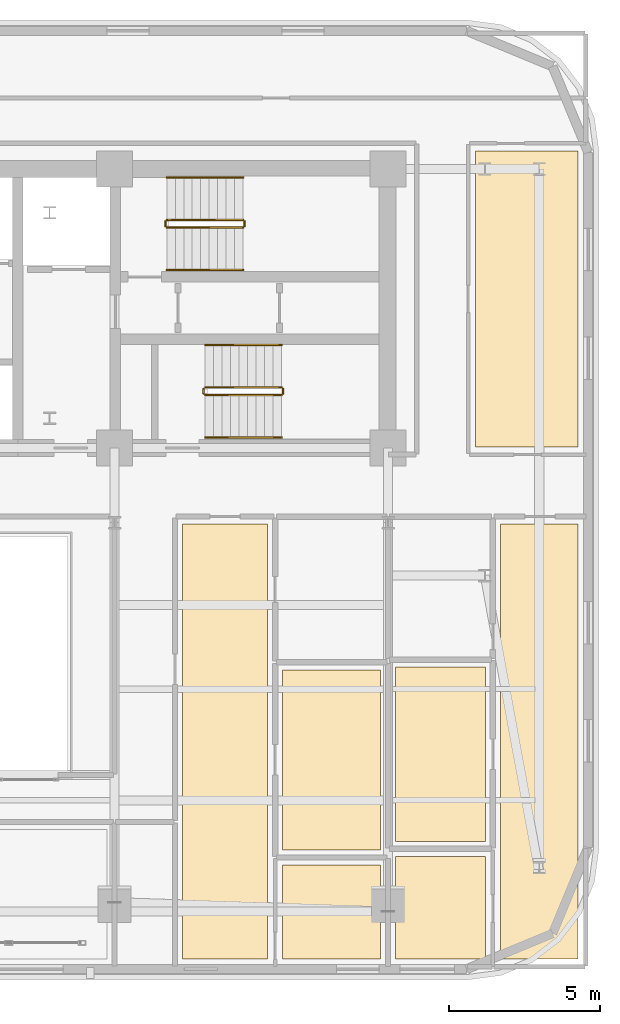
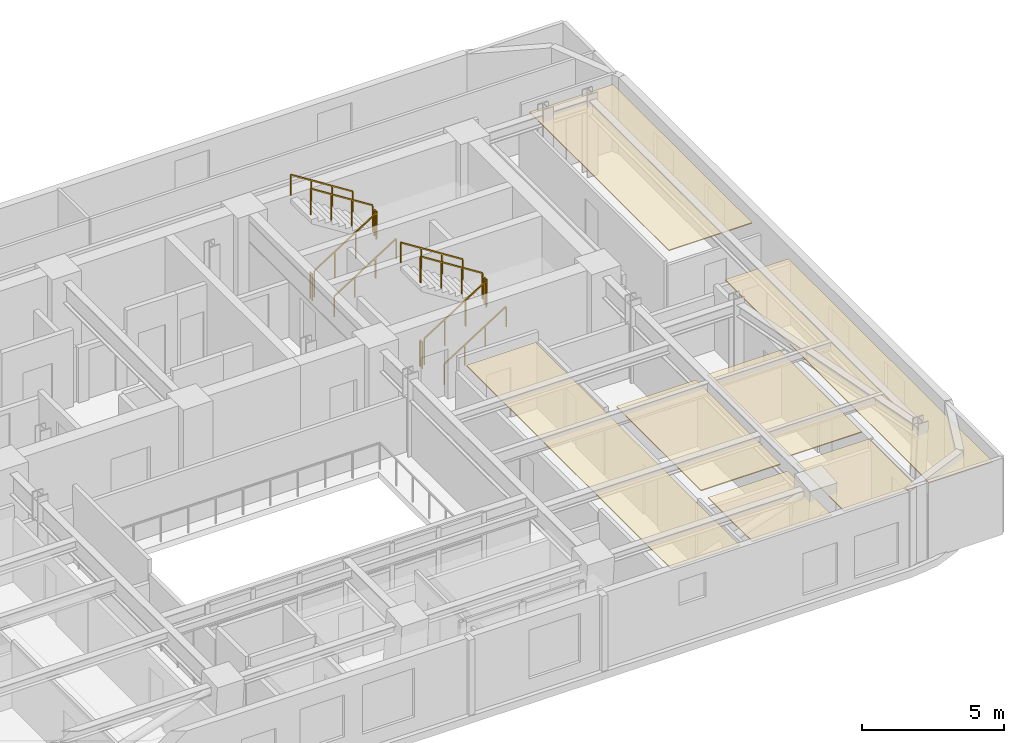
# One storey, part 13 of 13: 12 railings, 7 coverings.
"""IFC4 building model written with IfcOpenShell, lengths in metres."""

from ifc_helpers import new_model, si_unit, direction, frame, origin, origin_2d, place, context, subcontext, project, spatial, polyline, rectangle, outline, extrude, material, layer, layer_set, type_object, element, save


model = new_model("IFC4")

# Units and contexts
model_context = context("Model", 3, precision=1e-05, world=origin(), true_north=direction((0.0, 1.0)))
body_context = subcontext(model_context, "Body", "Model", "MODEL_VIEW")
ifc_project = project(units=[si_unit("LENGTHUNIT", "METRE"), si_unit("AREAUNIT", "SQUARE_METRE"), si_unit("VOLUMEUNIT", "CUBIC_METRE"), si_unit("PLANEANGLEUNIT", "RADIAN"), si_unit("MASSUNIT", "GRAM", prefix="KILO")], contexts=[model_context])

# Site, building, storey
site_placement = place(None, origin())
site = spatial("IfcSite", under=ifc_project, at=site_placement, CompositionType="ELEMENT")
building_placement = place(site_placement, origin())
building = spatial("IfcBuilding", under=site, at=building_placement, Name="Zarnavel Station Tower", CompositionType="ELEMENT")
storey_placement = place(building_placement, frame((0.0, 0.0, 148.35009765625)))
storey = spatial("IfcBuildingStorey", under=building, at=storey_placement, Name="L40", CompositionType="ELEMENT", Elevation=148.35009765625)

# Coverings
ifc_material_1 = material(Name="Perforated Gypsum and Mineral-Wool Acoustic Ceiling", Category="concrete")
ifc_layer = layer(ifc_material_1, 0.0400390625)
ifc_layer_set = layer_set([ifc_layer], Name="COV_CEIL_ACOUSTIC")
covering_type = type_object("IfcCoveringType", Name="COV_CEIL_ACOUSTIC", PredefinedType="CEILING", material=ifc_layer_set)
covering_1_placement = place(storey_placement, frame((0.0, 0.0, 2.969970703125)))
element("IfcCovering", 1, at=covering_1_placement, inside=storey, type_object=covering_type, Name="L40 FNE Acoustic Ceiling", PredefinedType="CEILING", context=body_context, shape_type="SweptSolid", body=[
    extrude(outline(polyline([(48.300048828125, 27.85009765625), (51.68994140625, 27.85009765625), (51.68994140625, 37.64990234375), (48.300048828125, 37.64990234375), (48.300048828125, 27.85009765625)])), origin(), (0.0, 0.0, 1.0), 0.0400390625),
])
covering_2_placement = place(storey_placement, frame((0.0, 0.0, 2.969970703125)))
element("IfcCovering", 2, at=covering_2_placement, inside=storey, type_object=covering_type, Name="L40 UE1LV Acoustic Ceiling", PredefinedType="CEILING", context=body_context, shape_type="SweptSolid", body=[
    extrude(outline(polyline([(38.60009765625, 10.909912109375), (41.4130859375, 10.909912109375), (41.4130859375, 25.300048828125), (38.60009765625, 25.300048828125), (38.60009765625, 10.909912109375)])), origin(), (0.0, 0.0, 1.0), 0.0400390625),
])
covering_3_placement = place(storey_placement, frame((0.0, 0.0, 2.969970703125)))
element("IfcCovering", 3, at=covering_3_placement, inside=storey, type_object=covering_type, Name="L40 UE1B1 Acoustic Ceiling", PredefinedType="CEILING", context=body_context, shape_type="SweptSolid", body=[
    extrude(outline(polyline([(41.9130859375, 10.909912109375), (45.14990234375, 10.909912109375), (45.14990234375, 14.02294921875), (41.9130859375, 14.02294921875), (41.9130859375, 10.909912109375)])), origin(), (0.0, 0.0, 1.0), 0.0400390625),
])
covering_4_placement = place(storey_placement, frame((0.0, 0.0, 2.969970703125)))
element("IfcCovering", 4, at=covering_4_placement, inside=storey, type_object=covering_type, Name="L40 UE1KT Acoustic Ceiling", PredefinedType="CEILING", context=body_context, shape_type="SweptSolid", body=[
    extrude(outline(polyline([(41.9130859375, 14.52294921875), (45.14990234375, 14.52294921875), (45.14990234375, 20.48291015625), (41.9130859375, 20.48291015625), (41.9130859375, 14.52294921875)])), origin(), (0.0, 0.0, 1.0), 0.0400390625),
])
covering_5_placement = place(storey_placement, frame((0.0, 0.0, 2.969970703125)))
element("IfcCovering", 5, at=covering_5_placement, inside=storey, type_object=covering_type, Name="L40 UE2LV Acoustic Ceiling", PredefinedType="CEILING", context=body_context, shape_type="SweptSolid", body=[
    extrude(outline(polyline([(49.115966796875, 10.909912109375), (51.68994140625, 10.909912109375), (51.68994140625, 25.300048828125), (49.115966796875, 25.300048828125), (49.115966796875, 10.909912109375)])), origin(), (0.0, 0.0, 1.0), 0.0400390625),
])
covering_6_placement = place(storey_placement, frame((0.0, 0.0, 2.969970703125)))
element("IfcCovering", 6, at=covering_6_placement, inside=storey, type_object=covering_type, Name="L40 UE2B1 Acoustic Ceiling", PredefinedType="CEILING", context=body_context, shape_type="SweptSolid", body=[
    extrude(outline(polyline([(45.64990234375, 10.909912109375), (48.615966796875, 10.909912109375), (48.615966796875, 14.304931640625), (45.64990234375, 14.304931640625), (45.64990234375, 10.909912109375)])), origin(), (0.0, 0.0, 1.0), 0.0400390625),
])
covering_7_placement = place(storey_placement, frame((0.0, 0.0, 2.969970703125)))
element("IfcCovering", 7, at=covering_7_placement, inside=storey, type_object=covering_type, Name="L40 UE2KT Acoustic Ceiling", PredefinedType="CEILING", context=body_context, shape_type="SweptSolid", body=[
    extrude(outline(polyline([(45.64990234375, 14.804931640625), (48.615966796875, 14.804931640625), (48.615966796875, 20.572021484375), (45.64990234375, 20.572021484375), (45.64990234375, 14.804931640625)])), origin(), (0.0, 0.0, 1.0), 0.0400390625),
])

# Railings
ifc_material_2 = material(Name="Painted Steel S355J2 Balustrade", Category="steel")
railing_type_1 = type_object("IfcRailingType", Name="GR_INT_1150", PredefinedType="GUARDRAIL", material=ifc_material_2)
railing_1_placement = place(storey_placement, frame((38.080078125, 35.110107421875, 0.177490234375)))
element("IfcRailing", 8, at=railing_1_placement, inside=storey, type_object=railing_type_1, Name="L40 ST2 stair guard 1", PredefinedType="GUARDRAIL", context=body_context, shape_type="SweptSolid", body=[
    extrude(rectangle(XDim=0.048095703125, YDim=0.048095703125, at=origin_2d()), frame((0.001708984375, 0.0, 1.126953125), z_axis=(0.84460694969, 0.0, 0.535386869969), x_axis=(0.0, 1.0, 0.0)), (0.0, 0.0, 1.0), 2.979736328125),
    extrude(rectangle(XDim=0.0419921875, YDim=0.0419921875, at=origin_2d()), origin(), (0.0, 0.0, 1.0), 1.101806640625),
    extrude(rectangle(XDim=0.0419921875, YDim=0.0419921875, at=origin_2d()), frame((0.840087890625, 0.0, 0.532470703125)), (0.0, 0.0, 1.0), 1.101806640625),
    extrude(rectangle(XDim=0.0419921875, YDim=0.0419921875, at=origin_2d()), frame((1.679931640625, 0.0, 1.06494140625)), (0.0, 0.0, 1.0), 1.101806640625),
    extrude(rectangle(XDim=0.0419921875, YDim=0.0419921875, at=origin_2d()), frame((2.52001953125, 0.0, 1.597412109375)), (0.0, 0.0, 1.0), 1.101806640625),
])
railing_2_placement = place(storey_placement, frame((40.64990234375, 35.159912109375, 1.77490234375)))
element("IfcRailing", 9, at=railing_2_placement, inside=storey, type_object=railing_type_1, Name="L40 ST2 stair guard 2", PredefinedType="GUARDRAIL", context=body_context, shape_type="SweptSolid", body=[
    extrude(rectangle(XDim=0.048095703125, YDim=0.048095703125, at=origin_2d()), frame((0.0, 0.001953125, 1.1259765625), z_axis=(0.0, 1.0, 0.0), x_axis=(-1.0, 0.0, 0.0)), (0.0, 0.0, 1.0), 0.15625),
    extrude(rectangle(XDim=0.0419921875, YDim=0.0419921875, at=origin_2d()), origin(), (0.0, 0.0, 1.0), 1.101806640625),
    extrude(rectangle(XDim=0.0419921875, YDim=0.0419921875, at=origin_2d()), frame((0.0, 0.16015625, 0.0)), (0.0, 0.0, 1.0), 1.101806640625),
])
railing_3_placement = place(storey_placement, frame((40.60009765625, 35.3701171875, 1.952392578125)))
element("IfcRailing", 10, at=railing_3_placement, inside=storey, type_object=railing_type_1, Name="L40 ST2 stair guard 3", PredefinedType="GUARDRAIL", context=body_context, shape_type="SweptSolid", body=[
    extrude(rectangle(XDim=0.048095703125, YDim=0.048095703125, at=origin_2d()), frame((-0.001708984375, 0.0, 1.126953125), z_axis=(-0.84460694969, 0.0, 0.535386869969), x_axis=(0.0, -1.0, 0.0)), (0.0, 0.0, 1.0), 2.979736328125),
    extrude(rectangle(XDim=0.0419921875, YDim=0.0419921875, at=origin_2d()), origin(), (0.0, 0.0, 1.0), 1.101806640625),
    extrude(rectangle(XDim=0.0419921875, YDim=0.0419921875, at=origin_2d()), frame((-0.840087890625, 0.0, 0.532470703125)), (0.0, 0.0, 1.0), 1.101806640625),
    extrude(rectangle(XDim=0.0419921875, YDim=0.0419921875, at=origin_2d()), frame((-1.679931640625, 0.0, 1.06494140625)), (0.0, 0.0, 1.0), 1.101806640625),
    extrude(rectangle(XDim=0.0419921875, YDim=0.0419921875, at=origin_2d()), frame((-2.52001953125, 0.0, 1.597412109375)), (0.0, 0.0, 1.0), 1.101806640625),
])
railing_4_placement = place(storey_placement, frame((38.030029296875, 35.159912109375, 0.0)))
element("IfcRailing", 11, at=railing_4_placement, inside=storey, type_object=railing_type_1, Name="L40 ST2 stair guard 4", PredefinedType="GUARDRAIL", context=body_context, shape_type="SweptSolid", body=[
    extrude(rectangle(XDim=0.048095703125, YDim=0.048095703125, at=origin_2d()), frame((0.0, 0.001953125, 1.1259765625), z_axis=(0.0, 1.0, 0.0), x_axis=(-1.0, 0.0, 0.0)), (0.0, 0.0, 1.0), 0.15625),
    extrude(rectangle(XDim=0.0419921875, YDim=0.0419921875, at=origin_2d()), origin(), (0.0, 0.0, 1.0), 1.101806640625),
    extrude(rectangle(XDim=0.0419921875, YDim=0.0419921875, at=origin_2d()), frame((0.0, 0.16015625, 0.0)), (0.0, 0.0, 1.0), 1.101806640625),
])
railing_5_placement = place(storey_placement, frame((39.35009765625, 29.570068359375, 0.177490234375)))
element("IfcRailing", 12, at=railing_5_placement, inside=storey, type_object=railing_type_1, Name="L40 ST3 stair guard 1", PredefinedType="GUARDRAIL", context=body_context, shape_type="SweptSolid", body=[
    extrude(rectangle(XDim=0.048095703125, YDim=0.048095703125, at=origin_2d()), frame((0.001708984375, 0.0, 1.126953125), z_axis=(0.84460694969, 0.0, 0.535386869969), x_axis=(0.0, 1.0, 0.0)), (0.0, 0.0, 1.0), 2.979736328125),
    extrude(rectangle(XDim=0.0419921875, YDim=0.0419921875, at=origin_2d()), origin(), (0.0, 0.0, 1.0), 1.101806640625),
    extrude(rectangle(XDim=0.0419921875, YDim=0.0419921875, at=origin_2d()), frame((0.840087890625, 0.0, 0.532470703125)), (0.0, 0.0, 1.0), 1.101806640625),
    extrude(rectangle(XDim=0.0419921875, YDim=0.0419921875, at=origin_2d()), frame((1.679931640625, 0.0, 1.06494140625)), (0.0, 0.0, 1.0), 1.101806640625),
    extrude(rectangle(XDim=0.0419921875, YDim=0.0419921875, at=origin_2d()), frame((2.52001953125, 0.0, 1.597412109375)), (0.0, 0.0, 1.0), 1.101806640625),
])
railing_6_placement = place(storey_placement, frame((41.919921875, 29.6201171875, 1.77490234375)))
element("IfcRailing", 13, at=railing_6_placement, inside=storey, type_object=railing_type_1, Name="L40 ST3 stair guard 2", PredefinedType="GUARDRAIL", context=body_context, shape_type="SweptSolid", body=[
    extrude(rectangle(XDim=0.048095703125, YDim=0.048095703125, at=origin_2d()), frame((0.0, 0.001953125, 1.1259765625), z_axis=(0.0, 1.0, 0.0), x_axis=(-1.0, 0.0, 0.0)), (0.0, 0.0, 1.0), 0.156005859375),
    extrude(rectangle(XDim=0.0419921875, YDim=0.0419921875, at=origin_2d()), origin(), (0.0, 0.0, 1.0), 1.101806640625),
    extrude(rectangle(XDim=0.0419921875, YDim=0.0419921875, at=origin_2d()), frame((0.0, 0.159912109375, 0.0)), (0.0, 0.0, 1.0), 1.101806640625),
])
railing_7_placement = place(storey_placement, frame((41.8701171875, 29.830078125, 1.952392578125)))
element("IfcRailing", 14, at=railing_7_placement, inside=storey, type_object=railing_type_1, Name="L40 ST3 stair guard 3", PredefinedType="GUARDRAIL", context=body_context, shape_type="SweptSolid", body=[
    extrude(rectangle(XDim=0.048095703125, YDim=0.048095703125, at=origin_2d()), frame((-0.001708984375, 0.0, 1.126953125), z_axis=(-0.84460694969, 0.0, 0.535386869969), x_axis=(0.0, -1.0, 0.0)), (0.0, 0.0, 1.0), 2.979736328125),
    extrude(rectangle(XDim=0.0419921875, YDim=0.0419921875, at=origin_2d()), origin(), (0.0, 0.0, 1.0), 1.101806640625),
    extrude(rectangle(XDim=0.0419921875, YDim=0.0419921875, at=origin_2d()), frame((-0.840087890625, 0.0, 0.532470703125)), (0.0, 0.0, 1.0), 1.101806640625),
    extrude(rectangle(XDim=0.0419921875, YDim=0.0419921875, at=origin_2d()), frame((-1.679931640625, 0.0, 1.06494140625)), (0.0, 0.0, 1.0), 1.101806640625),
    extrude(rectangle(XDim=0.0419921875, YDim=0.0419921875, at=origin_2d()), frame((-2.52001953125, 0.0, 1.597412109375)), (0.0, 0.0, 1.0), 1.101806640625),
])
railing_8_placement = place(storey_placement, frame((39.300048828125, 29.6201171875, 0.0)))
element("IfcRailing", 15, at=railing_8_placement, inside=storey, type_object=railing_type_1, Name="L40 ST3 stair guard 4", PredefinedType="GUARDRAIL", context=body_context, shape_type="SweptSolid", body=[
    extrude(rectangle(XDim=0.048095703125, YDim=0.048095703125, at=origin_2d()), frame((0.0, 0.001953125, 1.1259765625), z_axis=(0.0, 1.0, 0.0), x_axis=(-1.0, 0.0, 0.0)), (0.0, 0.0, 1.0), 0.156005859375),
    extrude(rectangle(XDim=0.0419921875, YDim=0.0419921875, at=origin_2d()), origin(), (0.0, 0.0, 1.0), 1.101806640625),
    extrude(rectangle(XDim=0.0419921875, YDim=0.0419921875, at=origin_2d()), frame((0.0, 0.159912109375, 0.0)), (0.0, 0.0, 1.0), 1.101806640625),
])
ifc_material_3 = material(Name="Brushed Stainless Steel S355J2 Handrail", Category="steel")
railing_type_2 = type_object("IfcRailingType", Name="HR_STAIR_900", PredefinedType="HANDRAIL", material=ifc_material_3)
railing_9_placement = place(storey_placement, frame((38.080078125, 33.7099609375, 0.177490234375)))
element("IfcRailing", 16, at=railing_9_placement, inside=storey, type_object=railing_type_2, Name="L40 ST2 stair handrail 1", PredefinedType="HANDRAIL", context=body_context, shape_type="SweptSolid", body=[
    extrude(rectangle(XDim=0.048095703125, YDim=0.048095703125, at=origin_2d()), frame((0.001708984375, 0.0, 0.876953125), z_axis=(0.84460694969, 0.0, 0.535386869969), x_axis=(0.0, 1.0, 0.0)), (0.0, 0.0, 1.0), 2.979736328125),
    extrude(rectangle(XDim=0.0419921875, YDim=0.0419921875, at=origin_2d()), origin(), (0.0, 0.0, 1.0), 0.851806640625),
    extrude(rectangle(XDim=0.0419921875, YDim=0.0419921875, at=origin_2d()), frame((0.840087890625, 0.0, 0.532470703125)), (0.0, 0.0, 1.0), 0.851806640625),
    extrude(rectangle(XDim=0.0419921875, YDim=0.0419921875, at=origin_2d()), frame((1.679931640625, 0.0, 1.06494140625)), (0.0, 0.0, 1.0), 0.851806640625),
    extrude(rectangle(XDim=0.0419921875, YDim=0.0419921875, at=origin_2d()), frame((2.52001953125, 0.0, 1.597412109375)), (0.0, 0.0, 1.0), 0.851806640625),
])
railing_10_placement = place(storey_placement, frame((40.60009765625, 36.77001953125, 1.952392578125)))
element("IfcRailing", 17, at=railing_10_placement, inside=storey, type_object=railing_type_2, Name="L40 ST2 stair handrail 2", PredefinedType="HANDRAIL", context=body_context, shape_type="SweptSolid", body=[
    extrude(rectangle(XDim=0.048095703125, YDim=0.048095703125, at=origin_2d()), frame((-0.001708984375, 0.0, 0.876953125), z_axis=(-0.84460694969, 0.0, 0.535386869969), x_axis=(0.0, -1.0, 0.0)), (0.0, 0.0, 1.0), 2.979736328125),
    extrude(rectangle(XDim=0.0419921875, YDim=0.0419921875, at=origin_2d()), origin(), (0.0, 0.0, 1.0), 0.851806640625),
    extrude(rectangle(XDim=0.0419921875, YDim=0.0419921875, at=origin_2d()), frame((-0.840087890625, 0.0, 0.532470703125)), (0.0, 0.0, 1.0), 0.851806640625),
    extrude(rectangle(XDim=0.0419921875, YDim=0.0419921875, at=origin_2d()), frame((-1.679931640625, 0.0, 1.06494140625)), (0.0, 0.0, 1.0), 0.851806640625),
    extrude(rectangle(XDim=0.0419921875, YDim=0.0419921875, at=origin_2d()), frame((-2.52001953125, 0.0, 1.597412109375)), (0.0, 0.0, 1.0), 0.851806640625),
])
railing_11_placement = place(storey_placement, frame((39.35009765625, 28.169921875, 0.177490234375)))
element("IfcRailing", 18, at=railing_11_placement, inside=storey, type_object=railing_type_2, Name="L40 ST3 stair handrail 1", PredefinedType="HANDRAIL", context=body_context, shape_type="SweptSolid", body=[
    extrude(rectangle(XDim=0.048095703125, YDim=0.048095703125, at=origin_2d()), frame((0.001708984375, 0.0, 0.876953125), z_axis=(0.84460694969, 0.0, 0.535386869969), x_axis=(0.0, 1.0, 0.0)), (0.0, 0.0, 1.0), 2.979736328125),
    extrude(rectangle(XDim=0.0419921875, YDim=0.0419921875, at=origin_2d()), origin(), (0.0, 0.0, 1.0), 0.851806640625),
    extrude(rectangle(XDim=0.0419921875, YDim=0.0419921875, at=origin_2d()), frame((0.840087890625, 0.0, 0.532470703125)), (0.0, 0.0, 1.0), 0.851806640625),
    extrude(rectangle(XDim=0.0419921875, YDim=0.0419921875, at=origin_2d()), frame((1.679931640625, 0.0, 1.06494140625)), (0.0, 0.0, 1.0), 0.851806640625),
    extrude(rectangle(XDim=0.0419921875, YDim=0.0419921875, at=origin_2d()), frame((2.52001953125, 0.0, 1.597412109375)), (0.0, 0.0, 1.0), 0.851806640625),
])
railing_12_placement = place(storey_placement, frame((41.8701171875, 31.22998046875, 1.952392578125)))
element("IfcRailing", 19, at=railing_12_placement, inside=storey, type_object=railing_type_2, Name="L40 ST3 stair handrail 2", PredefinedType="HANDRAIL", context=body_context, shape_type="SweptSolid", body=[
    extrude(rectangle(XDim=0.048095703125, YDim=0.048095703125, at=origin_2d()), frame((-0.001708984375, 0.0, 0.876953125), z_axis=(-0.84460694969, 0.0, 0.535386869969), x_axis=(0.0, -1.0, 0.0)), (0.0, 0.0, 1.0), 2.979736328125),
    extrude(rectangle(XDim=0.0419921875, YDim=0.0419921875, at=origin_2d()), origin(), (0.0, 0.0, 1.0), 0.851806640625),
    extrude(rectangle(XDim=0.0419921875, YDim=0.0419921875, at=origin_2d()), frame((-0.840087890625, 0.0, 0.532470703125)), (0.0, 0.0, 1.0), 0.851806640625),
    extrude(rectangle(XDim=0.0419921875, YDim=0.0419921875, at=origin_2d()), frame((-1.679931640625, 0.0, 1.06494140625)), (0.0, 0.0, 1.0), 0.851806640625),
    extrude(rectangle(XDim=0.0419921875, YDim=0.0419921875, at=origin_2d()), frame((-2.52001953125, 0.0, 1.597412109375)), (0.0, 0.0, 1.0), 0.851806640625),
])

save(model, "model.ifc")
